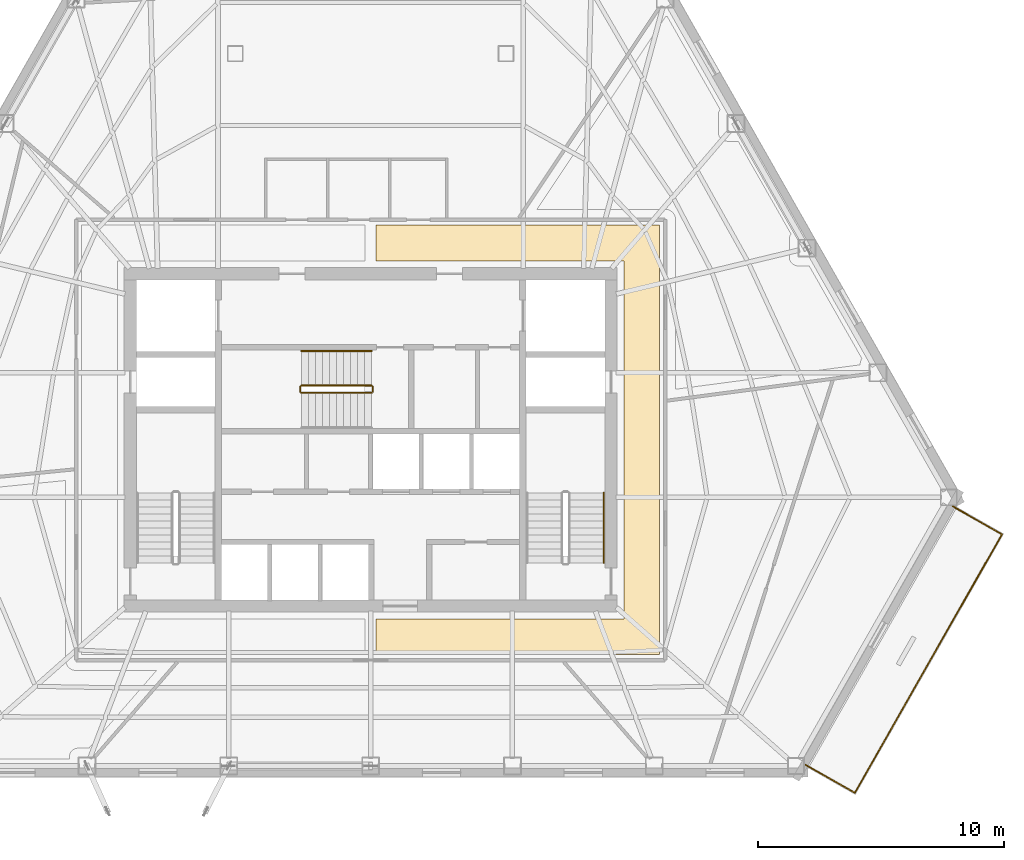
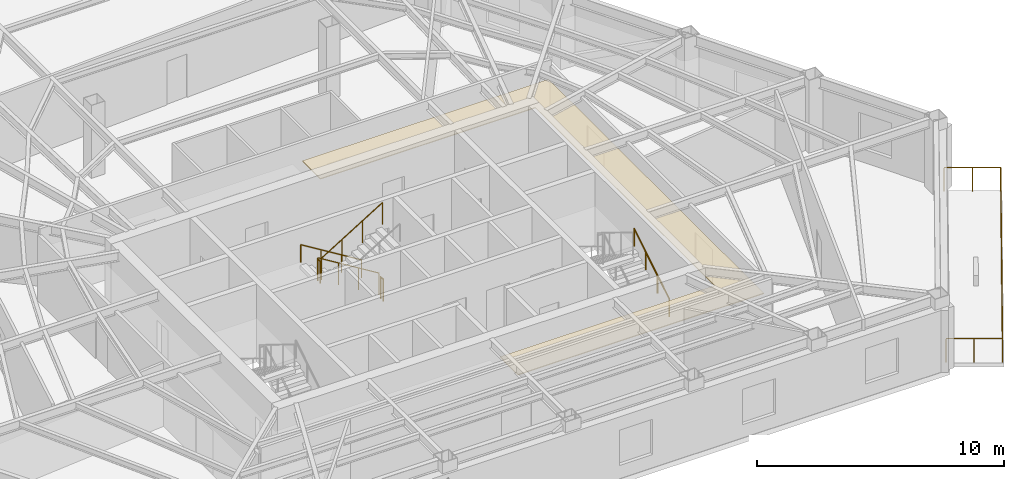
# One storey, part 11 of 12: 9 railings, 1 covering.
"""IFC4 building model written with IfcOpenShell, lengths in metres."""

from ifc_helpers import new_model, si_unit, direction, frame, origin, origin_2d, place, context, subcontext, project, spatial, polyline, circle, outline, extrude, material, layer, layer_set, type_object, element, save


model = new_model("IFC4")

# Units and contexts
model_context = context("Model", 3, precision=1e-05, world=origin(), true_north=direction((0.0, 1.0)))
body_context = subcontext(model_context, "Body", "Model", "MODEL_VIEW")
ifc_project = project(units=[si_unit("LENGTHUNIT", "METRE"), si_unit("AREAUNIT", "SQUARE_METRE"), si_unit("VOLUMEUNIT", "CUBIC_METRE"), si_unit("PLANEANGLEUNIT", "RADIAN"), si_unit("MASSUNIT", "GRAM", prefix="KILO")], contexts=[model_context])

# Site, building, storey
site_placement = place(None, origin())
site = spatial("IfcSite", under=ifc_project, at=site_placement, CompositionType="ELEMENT")
building_placement = place(site_placement, origin())
building = spatial("IfcBuilding", under=site, at=building_placement, Name="Kavelnor Concourse Tower", CompositionType="ELEMENT")
storey_placement = place(building_placement, frame((0.0, 0.0, 93.199951171875)))
storey = spatial("IfcBuildingStorey", under=building, at=storey_placement, Name="L23", CompositionType="ELEMENT", Elevation=93.199951171875)

# Covering
ifc_material_1 = material(Name="Mineral fibre acoustic ceiling tile")
ifc_layer = layer(ifc_material_1, 0.0400390625, Name="Mineral fibre acoustic ceiling tile")
ifc_layer_set = layer_set([ifc_layer], Name="Mineral fibre acoustic ceiling tile")
covering_type = type_object("IfcCoveringType", Name="COV-CEILING-ACOUSTIC", PredefinedType="CEILING", material=ifc_layer_set)
covering_placement = place(storey_placement, frame((0.0, 0.0, 2.75)))
element("IfcCovering", 1, at=covering_placement, inside=storey, type_object=covering_type, Name="L23 Suspended Acoustic Ceiling", PredefinedType="CEILING", context=body_context, shape_type="SweptSolid", body=[
    extrude(outline(polyline([(49.75, 7.3701171875), (38.22509765625, 7.3701171875), (38.22509765625, 8.830078125), (48.2900390625, 8.830078125), (48.2900390625, 23.3701171875), (38.22509765625, 23.3701171875), (38.22509765625, 24.830078125), (49.75, 24.830078125), (49.75, 7.3701171875)])), origin(), (0.0, 0.0, 1.0), 0.0400390625),
])

# Railings
ifc_material_2 = material(Name="Steel Grade 350", Category="steel")
railing_type_1 = type_object("IfcRailingType", Name="RLG-GUARD-1100", PredefinedType="GUARDRAIL", material=ifc_material_2)
railing_1_placement = place(storey_placement, frame((38.0400390625, 18.31005859375, 0.175048828125)))
element("IfcRailing", 2, at=railing_1_placement, inside=storey, type_object=railing_type_1, Name="L23 ST3 stair guard 1", PredefinedType="GUARDRAIL", context=body_context, shape_type="SweptSolid", body=[
    extrude(circle(Radius=0.02392578125, at=origin_2d()), frame((0.0, 0.0, 1.076171875), z_axis=(-0.852179220489, 0.0, 0.52325001306), x_axis=(0.0, -1.0, 0.0)), (0.0, 0.0, 1.0), 3.344482421875),
    extrude(circle(Radius=0.02099609375, at=origin_2d()), origin(), (0.0, 0.0, 1.0), 1.052001953125),
    extrude(circle(Radius=0.02099609375, at=origin_2d()), frame((-0.949951171875, 0.0, 0.583251953125)), (0.0, 0.0, 1.0), 1.052001953125),
    extrude(circle(Radius=0.02099609375, at=origin_2d()), frame((-1.900146484375, 0.0, 1.166748046875)), (0.0, 0.0, 1.0), 1.052001953125),
    extrude(circle(Radius=0.02099609375, at=origin_2d()), frame((-2.85009765625, 0.0, 1.75)), (0.0, 0.0, 1.0), 1.052001953125),
])
railing_2_placement = place(storey_placement, frame((35.139892578125, 18.260009765625, 1.925048828125)))
element("IfcRailing", 3, at=railing_2_placement, inside=storey, type_object=railing_type_1, Name="L23 ST3 stair guard 2", PredefinedType="GUARDRAIL", context=body_context, shape_type="SweptSolid", body=[
    extrude(circle(Radius=0.02392578125, at=origin_2d()), frame((0.0, 0.0, 1.076171875), z_axis=(0.0, -1.0, 0.0), x_axis=(1.0, 0.0, 0.0)), (0.0, 0.0, 1.0), 0.199951171875),
    extrude(circle(Radius=0.02099609375, at=origin_2d()), origin(), (0.0, 0.0, 1.0), 1.052001953125),
    extrude(circle(Radius=0.02099609375, at=origin_2d()), frame((0.0, -0.199951171875, 0.0)), (0.0, 0.0, 1.0), 1.052001953125),
])
railing_3_placement = place(storey_placement, frame((35.18994140625, 18.010009765625, 2.10009765625)))
element("IfcRailing", 4, at=railing_3_placement, inside=storey, type_object=railing_type_1, Name="L23 ST3 stair guard 3", PredefinedType="GUARDRAIL", context=body_context, shape_type="SweptSolid", body=[
    extrude(circle(Radius=0.02392578125, at=origin_2d()), frame((0.0, 0.0, 1.076171875), z_axis=(0.852179220489, 0.0, 0.52325001306), x_axis=(0.0, 1.0, 0.0)), (0.0, 0.0, 1.0), 3.344482421875),
    extrude(circle(Radius=0.02099609375, at=origin_2d()), origin(), (0.0, 0.0, 1.0), 1.052001953125),
    extrude(circle(Radius=0.02099609375, at=origin_2d()), frame((0.949951171875, 0.0, 0.583251953125)), (0.0, 0.0, 1.0), 1.052001953125),
    extrude(circle(Radius=0.02099609375, at=origin_2d()), frame((1.900146484375, 0.0, 1.166748046875)), (0.0, 0.0, 1.0), 1.052001953125),
    extrude(circle(Radius=0.02099609375, at=origin_2d()), frame((2.85009765625, 0.0, 1.75)), (0.0, 0.0, 1.0), 1.052001953125),
])
railing_4_placement = place(storey_placement, frame((38.090087890625, 18.260009765625, 0.0)))
element("IfcRailing", 5, at=railing_4_placement, inside=storey, type_object=railing_type_1, Name="L23 ST3 stair guard 4", PredefinedType="GUARDRAIL", context=body_context, shape_type="SweptSolid", body=[
    extrude(circle(Radius=0.02392578125, at=origin_2d()), frame((0.0, 0.0, 1.076171875), z_axis=(0.0, -1.0, 0.0), x_axis=(1.0, 0.0, 0.0)), (0.0, 0.0, 1.0), 0.199951171875),
    extrude(circle(Radius=0.02099609375, at=origin_2d()), origin(), (0.0, 0.0, 1.0), 1.052001953125),
    extrude(circle(Radius=0.02099609375, at=origin_2d()), frame((0.0, -0.199951171875, 0.0)), (0.0, 0.0, 1.0), 1.052001953125),
])
railing_type_2 = type_object("IfcRailingType", Name="RLG-HANDRAIL-900", PredefinedType="HANDRAIL", material=ifc_material_2)
railing_5_placement = place(storey_placement, frame((47.469970703125, 11.10009765625, 0.175048828125)))
element("IfcRailing", 6, at=railing_5_placement, inside=storey, type_object=railing_type_2, Name="L23 ST2 stair handrail 1", PredefinedType="HANDRAIL", context=body_context, shape_type="SweptSolid", body=[
    extrude(circle(Radius=0.02392578125, at=origin_2d()), frame((0.0, 0.0, 0.8759765625), z_axis=(0.0, 0.852159232446, 0.523282564737), x_axis=(-1.0, 0.0, 0.0)), (0.0, 0.0, 1.0), 3.34423828125),
    extrude(circle(Radius=0.02099609375, at=origin_2d()), origin(), (0.0, 0.0, 1.0), 0.851806640625),
    extrude(circle(Radius=0.02099609375, at=origin_2d()), frame((0.0, 0.949951171875, 0.583251953125)), (0.0, 0.0, 1.0), 0.851806640625),
    extrude(circle(Radius=0.02099609375, at=origin_2d()), frame((0.0, 1.89990234375, 1.166748046875)), (0.0, 0.0, 1.0), 0.851806640625),
    extrude(circle(Radius=0.02099609375, at=origin_2d()), frame((0.0, 2.849853515625, 1.75)), (0.0, 0.0, 1.0), 0.851806640625),
])
railing_6_placement = place(storey_placement, frame((38.0400390625, 19.7099609375, 0.175048828125)))
element("IfcRailing", 7, at=railing_6_placement, inside=storey, type_object=railing_type_2, Name="L23 ST3 stair handrail 1", PredefinedType="HANDRAIL", context=body_context, shape_type="SweptSolid", body=[
    extrude(circle(Radius=0.02392578125, at=origin_2d()), frame((0.0, 0.0, 0.8759765625), z_axis=(-0.852179220489, 0.0, 0.52325001306), x_axis=(0.0, -1.0, 0.0)), (0.0, 0.0, 1.0), 3.344482421875),
    extrude(circle(Radius=0.02099609375, at=origin_2d()), origin(), (0.0, 0.0, 1.0), 0.851806640625),
    extrude(circle(Radius=0.02099609375, at=origin_2d()), frame((-0.949951171875, 0.0, 0.583251953125)), (0.0, 0.0, 1.0), 0.851806640625),
    extrude(circle(Radius=0.02099609375, at=origin_2d()), frame((-1.900146484375, 0.0, 1.166748046875)), (0.0, 0.0, 1.0), 0.851806640625),
    extrude(circle(Radius=0.02099609375, at=origin_2d()), frame((-2.85009765625, 0.0, 1.75)), (0.0, 0.0, 1.0), 0.851806640625),
])
ifc_material_3 = material(Name="Architectural bronze-anodised aluminium", Category="aluminium")
railing_type_3 = type_object("IfcRailingType", Name="RLG-TERRACE-1200", PredefinedType="BALUSTRADE", material=ifc_material_3)
railing_7_placement = place(storey_placement, frame((55.6806640625, 2.89208984375, 0.0)))
element("IfcRailing", 8, at=railing_7_placement, inside=storey, type_object=railing_type_3, Name="L23 Spiral Terrace Guardrail L", PredefinedType="BALUSTRADE", context=body_context, shape_type="SweptSolid", body=[
    extrude(circle(Radius=0.02392578125, at=origin_2d()), frame((0.0, 0.0, 1.17578125), z_axis=(0.869104043903, -0.494629316632, 0.0), x_axis=(0.494629316632, 0.869104043903, 0.0)), (0.0, 0.0, 1.0), 2.300048828125),
    extrude(circle(Radius=0.02099609375, at=origin_2d()), origin(), (0.0, 0.0, 1.0), 1.15185546875),
    extrude(circle(Radius=0.02099609375, at=origin_2d()), frame((0.99951171875, -0.56884765625, 0.0)), (0.0, 0.0, 1.0), 1.15185546875),
    extrude(circle(Radius=0.02099609375, at=origin_2d()), frame((1.9990234375, -1.1376953125, 0.0)), (0.0, 0.0, 1.0), 1.15185546875),
])
railing_8_placement = place(storey_placement, frame((57.6796875, 1.75439453125, 0.0)))
element("IfcRailing", 9, at=railing_8_placement, inside=storey, type_object=railing_type_3, Name="L23 Spiral Terrace Guardrail F", PredefinedType="BALUSTRADE", context=body_context, shape_type="SweptSolid", body=[
    extrude(circle(Radius=0.02392578125, at=origin_2d()), frame((0.0, 0.0, 1.17578125), z_axis=(0.494646291721, 0.869094382726, 0.0), x_axis=(-0.869094382726, 0.494646291721, 0.0)), (0.0, 0.0, 1.0), 12.08935546875),
    extrude(circle(Radius=0.02099609375, at=origin_2d()), origin(), (0.0, 0.0, 1.0), 1.15185546875),
    extrude(circle(Radius=0.02099609375, at=origin_2d()), frame((0.543701171875, 0.955078125, 0.0)), (0.0, 0.0, 1.0), 1.15185546875),
    extrude(circle(Radius=0.02099609375, at=origin_2d()), frame((1.087158203125, 1.910400390625, 0.0)), (0.0, 0.0, 1.0), 1.15185546875),
    extrude(circle(Radius=0.02099609375, at=origin_2d()), frame((1.630859375, 2.865478515625, 0.0)), (0.0, 0.0, 1.0), 1.15185546875),
    extrude(circle(Radius=0.02099609375, at=origin_2d()), frame((2.174560546875, 3.820556640625, 0.0)), (0.0, 0.0, 1.0), 1.15185546875),
    extrude(circle(Radius=0.02099609375, at=origin_2d()), frame((2.71826171875, 4.77587890625, 0.0)), (0.0, 0.0, 1.0), 1.15185546875),
    extrude(circle(Radius=0.02099609375, at=origin_2d()), frame((3.26171875, 5.73095703125, 0.0)), (0.0, 0.0, 1.0), 1.15185546875),
    extrude(circle(Radius=0.02099609375, at=origin_2d()), frame((3.805419921875, 6.686279296875, 0.0)), (0.0, 0.0, 1.0), 1.15185546875),
    extrude(circle(Radius=0.02099609375, at=origin_2d()), frame((4.34912109375, 7.641357421875, 0.0)), (0.0, 0.0, 1.0), 1.15185546875),
    extrude(circle(Radius=0.02099609375, at=origin_2d()), frame((4.892822265625, 8.596435546875, 0.0)), (0.0, 0.0, 1.0), 1.15185546875),
    extrude(circle(Radius=0.02099609375, at=origin_2d()), frame((5.436279296875, 9.5517578125, 0.0)), (0.0, 0.0, 1.0), 1.15185546875),
    extrude(circle(Radius=0.02099609375, at=origin_2d()), frame((5.97998046875, 10.5068359375, 0.0)), (0.0, 0.0, 1.0), 1.15185546875),
])
railing_9_placement = place(storey_placement, frame((63.65966796875, 12.26123046875, 0.0)))
element("IfcRailing", 10, at=railing_9_placement, inside=storey, type_object=railing_type_3, Name="L23 Spiral Terrace Guardrail R", PredefinedType="BALUSTRADE", context=body_context, shape_type="SweptSolid", body=[
    extrude(circle(Radius=0.02392578125, at=origin_2d()), frame((0.0, 0.0, 1.17578125), z_axis=(-0.869104043903, 0.494629316632, 0.0), x_axis=(-0.494629316632, -0.869104043903, 0.0)), (0.0, 0.0, 1.0), 2.300048828125),
    extrude(circle(Radius=0.02099609375, at=origin_2d()), origin(), (0.0, 0.0, 1.0), 1.15185546875),
    extrude(circle(Radius=0.02099609375, at=origin_2d()), frame((-0.99951171875, 0.56884765625, 0.0)), (0.0, 0.0, 1.0), 1.15185546875),
    extrude(circle(Radius=0.02099609375, at=origin_2d()), frame((-1.9990234375, 1.1376953125, 0.0)), (0.0, 0.0, 1.0), 1.15185546875),
])

save(model, "model.ifc")
